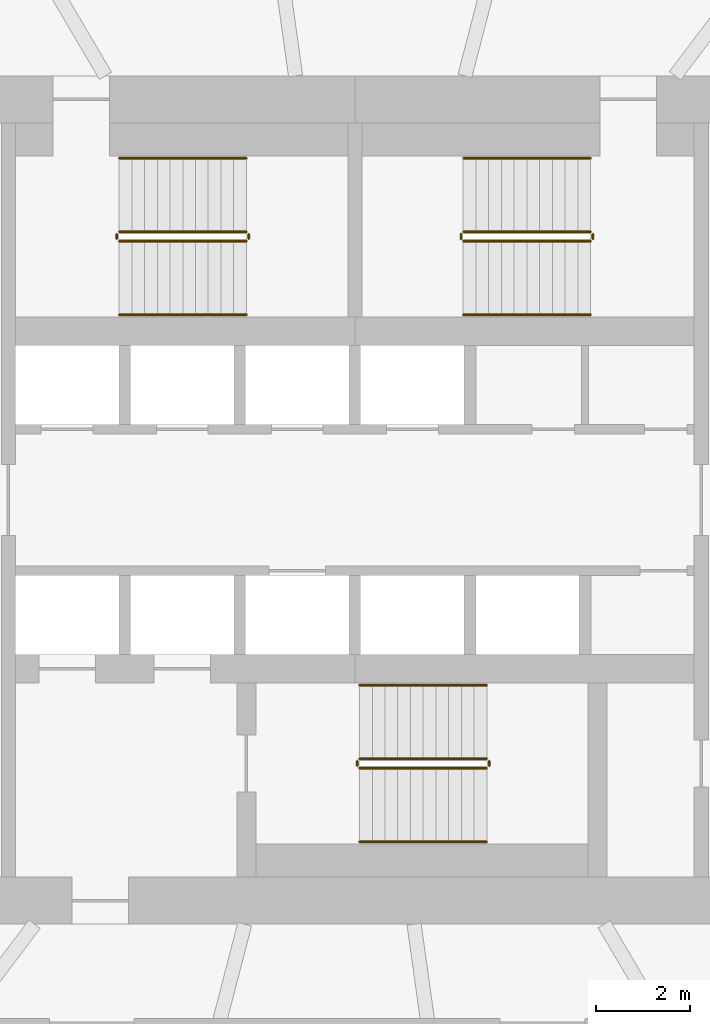
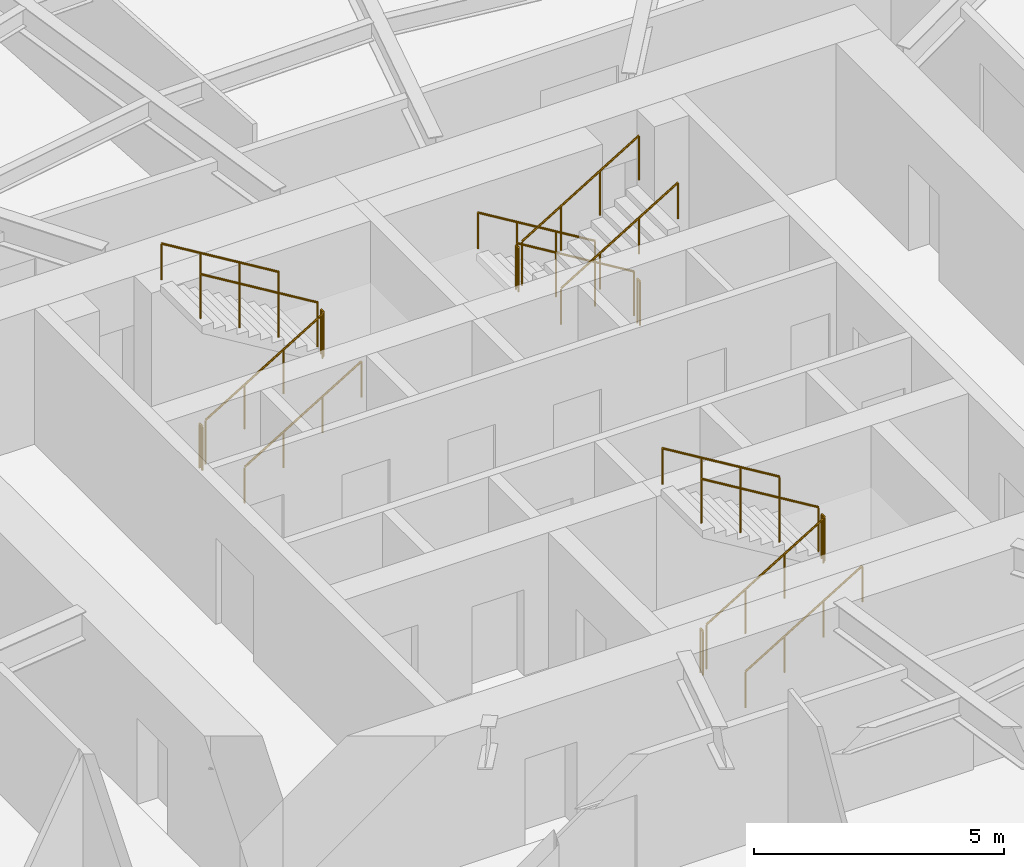
# One storey, part 13 of 14: 18 railings.
"""IFC4 building model written with IfcOpenShell, lengths in metres."""

from ifc_helpers import new_model, si_unit, direction, frame, origin, origin_2d, place, context, subcontext, project, spatial, circle, extrude, material, type_object, element, save


model = new_model("IFC4")

# Units and contexts
model_context = context("Model", 3, precision=1e-05, world=origin(), true_north=direction((0.0, 1.0)))
body_context = subcontext(model_context, "Body", "Model", "MODEL_VIEW")
ifc_project = project(units=[si_unit("LENGTHUNIT", "METRE"), si_unit("AREAUNIT", "SQUARE_METRE"), si_unit("VOLUMEUNIT", "CUBIC_METRE"), si_unit("PLANEANGLEUNIT", "RADIAN"), si_unit("MASSUNIT", "GRAM", prefix="KILO")], contexts=[model_context])

# Site, building, storey
site_placement = place(None, origin())
site = spatial("IfcSite", under=ifc_project, at=site_placement, CompositionType="ELEMENT")
building_placement = place(site_placement, origin())
building = spatial("IfcBuilding", under=site, at=building_placement, Name="Vermilion Reach Broadcast Tower", CompositionType="ELEMENT")
storey_placement = place(building_placement, frame((0.0, 0.0, 117.39990234375)))
storey = spatial("IfcBuildingStorey", under=building, at=storey_placement, Name="L27", CompositionType="ELEMENT", Elevation=117.39990234375)

# Railings
ifc_material_1 = material(Name="Stainless steel", Category="steel")
railing_type_1 = type_object("IfcRailingType", Name="Stair guard 1100", PredefinedType="GUARDRAIL", material=ifc_material_1)
railing_1_placement = place(storey_placement, frame((-11.0, 5.489990234375, 0.163818359375)))
element("IfcRailing", 1, at=railing_1_placement, inside=storey, type_object=railing_type_1, Name="L27 ST1 stair guard 1", PredefinedType="GUARDRAIL", context=body_context, shape_type="SweptSolid", body=[
    extrude(circle(Radius=0.02392578125, at=origin_2d()), frame((0.0, 0.0, 1.076171875), z_axis=(0.855212373127, 0.0, 0.518277721738), x_axis=(0.0, 1.0, 0.0)), (0.0, 0.0, 1.0), 3.156982421875),
    extrude(circle(Radius=0.02099609375, at=origin_2d()), origin(), (0.0, 0.0, 1.0), 1.052001953125),
    extrude(circle(Radius=0.02099609375, at=origin_2d()), frame((0.89990234375, 0.0, 0.54541015625)), (0.0, 0.0, 1.0), 1.052001953125),
    extrude(circle(Radius=0.02099609375, at=origin_2d()), frame((1.800048828125, 0.0, 1.0908203125)), (0.0, 0.0, 1.0), 1.052001953125),
    extrude(circle(Radius=0.02099609375, at=origin_2d()), frame((2.699951171875, 0.0, 1.63623046875)), (0.0, 0.0, 1.0), 1.052001953125),
])
railing_2_placement = place(storey_placement, frame((-8.25, 5.5400390625, 1.800048828125)))
element("IfcRailing", 2, at=railing_2_placement, inside=storey, type_object=railing_type_1, Name="L27 ST1 stair guard 2", PredefinedType="GUARDRAIL", context=body_context, shape_type="SweptSolid", body=[
    extrude(circle(Radius=0.02392578125, at=origin_2d()), frame((0.0, 0.0, 1.076171875), z_axis=(0.0, 1.0, 0.0), x_axis=(-1.0, 0.0, 0.0)), (0.0, 0.0, 1.0), 0.099853515625),
    extrude(circle(Radius=0.02099609375, at=origin_2d()), origin(), (0.0, 0.0, 1.0), 1.052001953125),
    extrude(circle(Radius=0.02099609375, at=origin_2d()), frame((0.0, 0.099853515625, 0.0)), (0.0, 0.0, 1.0), 1.052001953125),
])
railing_3_placement = place(storey_placement, frame((-8.300048828125, 5.68994140625, 1.963623046875)))
element("IfcRailing", 3, at=railing_3_placement, inside=storey, type_object=railing_type_1, Name="L27 ST1 stair guard 3", PredefinedType="GUARDRAIL", context=body_context, shape_type="SweptSolid", body=[
    extrude(circle(Radius=0.02392578125, at=origin_2d()), frame((0.0, 0.0, 1.076171875), z_axis=(-0.855178096276, 0.0, 0.518334277904), x_axis=(0.0, -1.0, 0.0)), (0.0, 0.0, 1.0), 3.1572265625),
    extrude(circle(Radius=0.02099609375, at=origin_2d()), origin(), (0.0, 0.0, 1.0), 1.052001953125),
    extrude(circle(Radius=0.02099609375, at=origin_2d()), frame((-0.89990234375, 0.0, 0.54541015625)), (0.0, 0.0, 1.0), 1.052001953125),
    extrude(circle(Radius=0.02099609375, at=origin_2d()), frame((-1.800048828125, 0.0, 1.091064453125)), (0.0, 0.0, 1.0), 1.052001953125),
    extrude(circle(Radius=0.02099609375, at=origin_2d()), frame((-2.699951171875, 0.0, 1.636474609375)), (0.0, 0.0, 1.0), 1.052001953125),
])
railing_4_placement = place(storey_placement, frame((-11.050048828125, 5.5400390625, 0.0)))
element("IfcRailing", 4, at=railing_4_placement, inside=storey, type_object=railing_type_1, Name="L27 ST1 stair guard 4", PredefinedType="GUARDRAIL", context=body_context, shape_type="SweptSolid", body=[
    extrude(circle(Radius=0.02392578125, at=origin_2d()), frame((0.0, 0.0, 1.076171875), z_axis=(0.0, 1.0, 0.0), x_axis=(-1.0, 0.0, 0.0)), (0.0, 0.0, 1.0), 0.099853515625),
    extrude(circle(Radius=0.02099609375, at=origin_2d()), origin(), (0.0, 0.0, 1.0), 1.052001953125),
    extrude(circle(Radius=0.02099609375, at=origin_2d()), frame((0.0, 0.099853515625, 0.0)), (0.0, 0.0, 1.0), 1.052001953125),
])
railing_5_placement = place(storey_placement, frame((-1.0, 5.68994140625, 0.163818359375)))
element("IfcRailing", 5, at=railing_5_placement, inside=storey, type_object=railing_type_1, Name="L27 ST2 stair guard 1", PredefinedType="GUARDRAIL", context=body_context, shape_type="SweptSolid", body=[
    extrude(circle(Radius=0.02392578125, at=origin_2d()), frame((0.0, 0.0, 1.076171875), z_axis=(-0.855212373127, 0.0, 0.518277721738), x_axis=(0.0, -1.0, 0.0)), (0.0, 0.0, 1.0), 3.156982421875),
    extrude(circle(Radius=0.02099609375, at=origin_2d()), origin(), (0.0, 0.0, 1.0), 1.052001953125),
    extrude(circle(Radius=0.02099609375, at=origin_2d()), frame((-0.89990234375, 0.0, 0.54541015625)), (0.0, 0.0, 1.0), 1.052001953125),
    extrude(circle(Radius=0.02099609375, at=origin_2d()), frame((-1.800048828125, 0.0, 1.0908203125)), (0.0, 0.0, 1.0), 1.052001953125),
    extrude(circle(Radius=0.02099609375, at=origin_2d()), frame((-2.699951171875, 0.0, 1.63623046875)), (0.0, 0.0, 1.0), 1.052001953125),
])
railing_6_placement = place(storey_placement, frame((-3.75, 5.639892578125, 1.800048828125)))
element("IfcRailing", 6, at=railing_6_placement, inside=storey, type_object=railing_type_1, Name="L27 ST2 stair guard 2", PredefinedType="GUARDRAIL", context=body_context, shape_type="SweptSolid", body=[
    extrude(circle(Radius=0.02392578125, at=origin_2d()), frame((0.0, 0.0, 1.076171875), z_axis=(0.0, -1.0, 0.0), x_axis=(1.0, 0.0, 0.0)), (0.0, 0.0, 1.0), 0.099853515625),
    extrude(circle(Radius=0.02099609375, at=origin_2d()), origin(), (0.0, 0.0, 1.0), 1.052001953125),
    extrude(circle(Radius=0.02099609375, at=origin_2d()), frame((0.0, -0.099853515625, 0.0)), (0.0, 0.0, 1.0), 1.052001953125),
])
railing_7_placement = place(storey_placement, frame((-3.699951171875, 5.489990234375, 1.963623046875)))
element("IfcRailing", 7, at=railing_7_placement, inside=storey, type_object=railing_type_1, Name="L27 ST2 stair guard 3", PredefinedType="GUARDRAIL", context=body_context, shape_type="SweptSolid", body=[
    extrude(circle(Radius=0.02392578125, at=origin_2d()), frame((0.0, 0.0, 1.076171875), z_axis=(0.855178096276, 0.0, 0.518334277904), x_axis=(0.0, 1.0, 0.0)), (0.0, 0.0, 1.0), 3.1572265625),
    extrude(circle(Radius=0.02099609375, at=origin_2d()), origin(), (0.0, 0.0, 1.0), 1.052001953125),
    extrude(circle(Radius=0.02099609375, at=origin_2d()), frame((0.89990234375, 0.0, 0.54541015625)), (0.0, 0.0, 1.0), 1.052001953125),
    extrude(circle(Radius=0.02099609375, at=origin_2d()), frame((1.800048828125, 0.0, 1.091064453125)), (0.0, 0.0, 1.0), 1.052001953125),
    extrude(circle(Radius=0.02099609375, at=origin_2d()), frame((2.699951171875, 0.0, 1.636474609375)), (0.0, 0.0, 1.0), 1.052001953125),
])
railing_8_placement = place(storey_placement, frame((-0.949951171875, 5.639892578125, 0.0)))
element("IfcRailing", 8, at=railing_8_placement, inside=storey, type_object=railing_type_1, Name="L27 ST2 stair guard 4", PredefinedType="GUARDRAIL", context=body_context, shape_type="SweptSolid", body=[
    extrude(circle(Radius=0.02392578125, at=origin_2d()), frame((0.0, 0.0, 1.076171875), z_axis=(0.0, -1.0, 0.0), x_axis=(1.0, 0.0, 0.0)), (0.0, 0.0, 1.0), 0.099853515625),
    extrude(circle(Radius=0.02099609375, at=origin_2d()), origin(), (0.0, 0.0, 1.0), 1.052001953125),
    extrude(circle(Radius=0.02099609375, at=origin_2d()), frame((0.0, -0.099853515625, 0.0)), (0.0, 0.0, 1.0), 1.052001953125),
])
railing_9_placement = place(storey_placement, frame((-5.89990234375, -5.68994140625, 0.163818359375)))
element("IfcRailing", 9, at=railing_9_placement, inside=storey, type_object=railing_type_1, Name="L27 ST3 stair guard 1", PredefinedType="GUARDRAIL", context=body_context, shape_type="SweptSolid", body=[
    extrude(circle(Radius=0.02392578125, at=origin_2d()), frame((0.0, 0.0, 1.076171875), z_axis=(0.855212373127, 0.0, 0.518277721738), x_axis=(0.0, 1.0, 0.0)), (0.0, 0.0, 1.0), 3.156982421875),
    extrude(circle(Radius=0.02099609375, at=origin_2d()), origin(), (0.0, 0.0, 1.0), 1.052001953125),
    extrude(circle(Radius=0.02099609375, at=origin_2d()), frame((0.89990234375, 0.0, 0.54541015625)), (0.0, 0.0, 1.0), 1.052001953125),
    extrude(circle(Radius=0.02099609375, at=origin_2d()), frame((1.800048828125, 0.0, 1.0908203125)), (0.0, 0.0, 1.0), 1.052001953125),
    extrude(circle(Radius=0.02099609375, at=origin_2d()), frame((2.699951171875, 0.0, 1.63623046875)), (0.0, 0.0, 1.0), 1.052001953125),
])
railing_10_placement = place(storey_placement, frame((-3.14990234375, -5.639892578125, 1.800048828125)))
element("IfcRailing", 10, at=railing_10_placement, inside=storey, type_object=railing_type_1, Name="L27 ST3 stair guard 2", PredefinedType="GUARDRAIL", context=body_context, shape_type="SweptSolid", body=[
    extrude(circle(Radius=0.02392578125, at=origin_2d()), frame((0.0, 0.0, 1.076171875), z_axis=(0.0, 1.0, 0.0), x_axis=(-1.0, 0.0, 0.0)), (0.0, 0.0, 1.0), 0.099853515625),
    extrude(circle(Radius=0.02099609375, at=origin_2d()), origin(), (0.0, 0.0, 1.0), 1.052001953125),
    extrude(circle(Radius=0.02099609375, at=origin_2d()), frame((0.0, 0.099853515625, 0.0)), (0.0, 0.0, 1.0), 1.052001953125),
])
railing_11_placement = place(storey_placement, frame((-3.199951171875, -5.489990234375, 1.963623046875)))
element("IfcRailing", 11, at=railing_11_placement, inside=storey, type_object=railing_type_1, Name="L27 ST3 stair guard 3", PredefinedType="GUARDRAIL", context=body_context, shape_type="SweptSolid", body=[
    extrude(circle(Radius=0.02392578125, at=origin_2d()), frame((0.0, 0.0, 1.076171875), z_axis=(-0.855178096276, 0.0, 0.518334277904), x_axis=(0.0, -1.0, 0.0)), (0.0, 0.0, 1.0), 3.1572265625),
    extrude(circle(Radius=0.02099609375, at=origin_2d()), origin(), (0.0, 0.0, 1.0), 1.052001953125),
    extrude(circle(Radius=0.02099609375, at=origin_2d()), frame((-0.89990234375, 0.0, 0.54541015625)), (0.0, 0.0, 1.0), 1.052001953125),
    extrude(circle(Radius=0.02099609375, at=origin_2d()), frame((-1.800048828125, 0.0, 1.091064453125)), (0.0, 0.0, 1.0), 1.052001953125),
    extrude(circle(Radius=0.02099609375, at=origin_2d()), frame((-2.699951171875, 0.0, 1.636474609375)), (0.0, 0.0, 1.0), 1.052001953125),
])
railing_12_placement = place(storey_placement, frame((-5.949951171875, -5.639892578125, 0.0)))
element("IfcRailing", 12, at=railing_12_placement, inside=storey, type_object=railing_type_1, Name="L27 ST3 stair guard 4", PredefinedType="GUARDRAIL", context=body_context, shape_type="SweptSolid", body=[
    extrude(circle(Radius=0.02392578125, at=origin_2d()), frame((0.0, 0.0, 1.076171875), z_axis=(0.0, 1.0, 0.0), x_axis=(-1.0, 0.0, 0.0)), (0.0, 0.0, 1.0), 0.099853515625),
    extrude(circle(Radius=0.02099609375, at=origin_2d()), origin(), (0.0, 0.0, 1.0), 1.052001953125),
    extrude(circle(Radius=0.02099609375, at=origin_2d()), frame((0.0, 0.099853515625, 0.0)), (0.0, 0.0, 1.0), 1.052001953125),
])
ifc_material_2 = material(Name="Stainless steel", Category="steel")
railing_type_2 = type_object("IfcRailingType", Name="Stair handrail", PredefinedType="HANDRAIL", material=ifc_material_2)
railing_13_placement = place(storey_placement, frame((-11.0, 3.929931640625, 0.163818359375)))
element("IfcRailing", 13, at=railing_13_placement, inside=storey, type_object=railing_type_2, Name="L27 ST1 stair handrail 1", PredefinedType="HANDRAIL", context=body_context, shape_type="SweptSolid", body=[
    extrude(circle(Radius=0.02392578125, at=origin_2d()), frame((0.0, 0.0, 0.8759765625), z_axis=(0.855212373127, 0.0, 0.518277721738), x_axis=(0.0, 1.0, 0.0)), (0.0, 0.0, 1.0), 3.156982421875),
    extrude(circle(Radius=0.02099609375, at=origin_2d()), origin(), (0.0, 0.0, 1.0), 0.851806640625),
    extrude(circle(Radius=0.02099609375, at=origin_2d()), frame((0.89990234375, 0.0, 0.54541015625)), (0.0, 0.0, 1.0), 0.851806640625),
    extrude(circle(Radius=0.02099609375, at=origin_2d()), frame((1.800048828125, 0.0, 1.0908203125)), (0.0, 0.0, 1.0), 0.851806640625),
    extrude(circle(Radius=0.02099609375, at=origin_2d()), frame((2.699951171875, 0.0, 1.63623046875)), (0.0, 0.0, 1.0), 0.851806640625),
])
railing_14_placement = place(storey_placement, frame((-8.300048828125, 7.25, 1.963623046875)))
element("IfcRailing", 14, at=railing_14_placement, inside=storey, type_object=railing_type_2, Name="L27 ST1 stair handrail 2", PredefinedType="HANDRAIL", context=body_context, shape_type="SweptSolid", body=[
    extrude(circle(Radius=0.02392578125, at=origin_2d()), frame((0.0, 0.0, 0.8759765625), z_axis=(-0.855178096276, 0.0, 0.518334277904), x_axis=(0.0, -1.0, 0.0)), (0.0, 0.0, 1.0), 3.1572265625),
    extrude(circle(Radius=0.02099609375, at=origin_2d()), origin(), (0.0, 0.0, 1.0), 0.851806640625),
    extrude(circle(Radius=0.02099609375, at=origin_2d()), frame((-0.89990234375, 0.0, 0.54541015625)), (0.0, 0.0, 1.0), 0.851806640625),
    extrude(circle(Radius=0.02099609375, at=origin_2d()), frame((-1.800048828125, 0.0, 1.091064453125)), (0.0, 0.0, 1.0), 0.851806640625),
    extrude(circle(Radius=0.02099609375, at=origin_2d()), frame((-2.699951171875, 0.0, 1.636474609375)), (0.0, 0.0, 1.0), 0.851806640625),
])
railing_15_placement = place(storey_placement, frame((-1.0, 7.25, 0.163818359375)))
element("IfcRailing", 15, at=railing_15_placement, inside=storey, type_object=railing_type_2, Name="L27 ST2 stair handrail 1", PredefinedType="HANDRAIL", context=body_context, shape_type="SweptSolid", body=[
    extrude(circle(Radius=0.02392578125, at=origin_2d()), frame((0.0, 0.0, 0.8759765625), z_axis=(-0.855212373127, 0.0, 0.518277721738), x_axis=(0.0, -1.0, 0.0)), (0.0, 0.0, 1.0), 3.156982421875),
    extrude(circle(Radius=0.02099609375, at=origin_2d()), origin(), (0.0, 0.0, 1.0), 0.851806640625),
    extrude(circle(Radius=0.02099609375, at=origin_2d()), frame((-0.89990234375, 0.0, 0.54541015625)), (0.0, 0.0, 1.0), 0.851806640625),
    extrude(circle(Radius=0.02099609375, at=origin_2d()), frame((-1.800048828125, 0.0, 1.0908203125)), (0.0, 0.0, 1.0), 0.851806640625),
    extrude(circle(Radius=0.02099609375, at=origin_2d()), frame((-2.699951171875, 0.0, 1.63623046875)), (0.0, 0.0, 1.0), 0.851806640625),
])
railing_16_placement = place(storey_placement, frame((-3.699951171875, 3.929931640625, 1.963623046875)))
element("IfcRailing", 16, at=railing_16_placement, inside=storey, type_object=railing_type_2, Name="L27 ST2 stair handrail 2", PredefinedType="HANDRAIL", context=body_context, shape_type="SweptSolid", body=[
    extrude(circle(Radius=0.02392578125, at=origin_2d()), frame((0.0, 0.0, 0.8759765625), z_axis=(0.855178096276, 0.0, 0.518334277904), x_axis=(0.0, 1.0, 0.0)), (0.0, 0.0, 1.0), 3.1572265625),
    extrude(circle(Radius=0.02099609375, at=origin_2d()), origin(), (0.0, 0.0, 1.0), 0.851806640625),
    extrude(circle(Radius=0.02099609375, at=origin_2d()), frame((0.89990234375, 0.0, 0.54541015625)), (0.0, 0.0, 1.0), 0.851806640625),
    extrude(circle(Radius=0.02099609375, at=origin_2d()), frame((1.800048828125, 0.0, 1.091064453125)), (0.0, 0.0, 1.0), 0.851806640625),
    extrude(circle(Radius=0.02099609375, at=origin_2d()), frame((2.699951171875, 0.0, 1.636474609375)), (0.0, 0.0, 1.0), 0.851806640625),
])
railing_17_placement = place(storey_placement, frame((-5.89990234375, -7.25, 0.163818359375)))
element("IfcRailing", 17, at=railing_17_placement, inside=storey, type_object=railing_type_2, Name="L27 ST3 stair handrail 1", PredefinedType="HANDRAIL", context=body_context, shape_type="SweptSolid", body=[
    extrude(circle(Radius=0.02392578125, at=origin_2d()), frame((0.0, 0.0, 0.8759765625), z_axis=(0.855212373127, 0.0, 0.518277721738), x_axis=(0.0, 1.0, 0.0)), (0.0, 0.0, 1.0), 3.156982421875),
    extrude(circle(Radius=0.02099609375, at=origin_2d()), origin(), (0.0, 0.0, 1.0), 0.851806640625),
    extrude(circle(Radius=0.02099609375, at=origin_2d()), frame((0.89990234375, 0.0, 0.54541015625)), (0.0, 0.0, 1.0), 0.851806640625),
    extrude(circle(Radius=0.02099609375, at=origin_2d()), frame((1.800048828125, 0.0, 1.0908203125)), (0.0, 0.0, 1.0), 0.851806640625),
    extrude(circle(Radius=0.02099609375, at=origin_2d()), frame((2.699951171875, 0.0, 1.63623046875)), (0.0, 0.0, 1.0), 0.851806640625),
])
railing_18_placement = place(storey_placement, frame((-3.199951171875, -3.929931640625, 1.963623046875)))
element("IfcRailing", 18, at=railing_18_placement, inside=storey, type_object=railing_type_2, Name="L27 ST3 stair handrail 2", PredefinedType="HANDRAIL", context=body_context, shape_type="SweptSolid", body=[
    extrude(circle(Radius=0.02392578125, at=origin_2d()), frame((0.0, 0.0, 0.8759765625), z_axis=(-0.855178096276, 0.0, 0.518334277904), x_axis=(0.0, -1.0, 0.0)), (0.0, 0.0, 1.0), 3.1572265625),
    extrude(circle(Radius=0.02099609375, at=origin_2d()), origin(), (0.0, 0.0, 1.0), 0.851806640625),
    extrude(circle(Radius=0.02099609375, at=origin_2d()), frame((-0.89990234375, 0.0, 0.54541015625)), (0.0, 0.0, 1.0), 0.851806640625),
    extrude(circle(Radius=0.02099609375, at=origin_2d()), frame((-1.800048828125, 0.0, 1.091064453125)), (0.0, 0.0, 1.0), 0.851806640625),
    extrude(circle(Radius=0.02099609375, at=origin_2d()), frame((-2.699951171875, 0.0, 1.636474609375)), (0.0, 0.0, 1.0), 0.851806640625),
])

save(model, "model.ifc")
